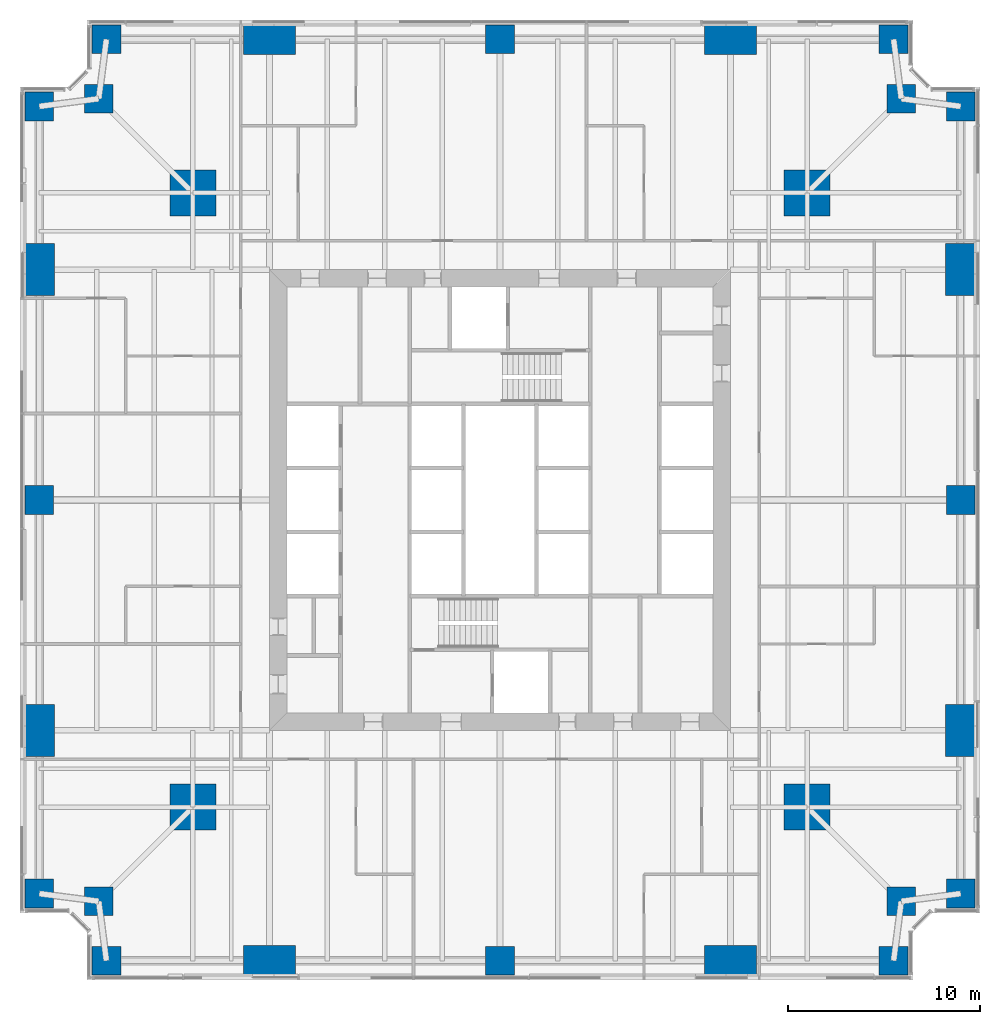
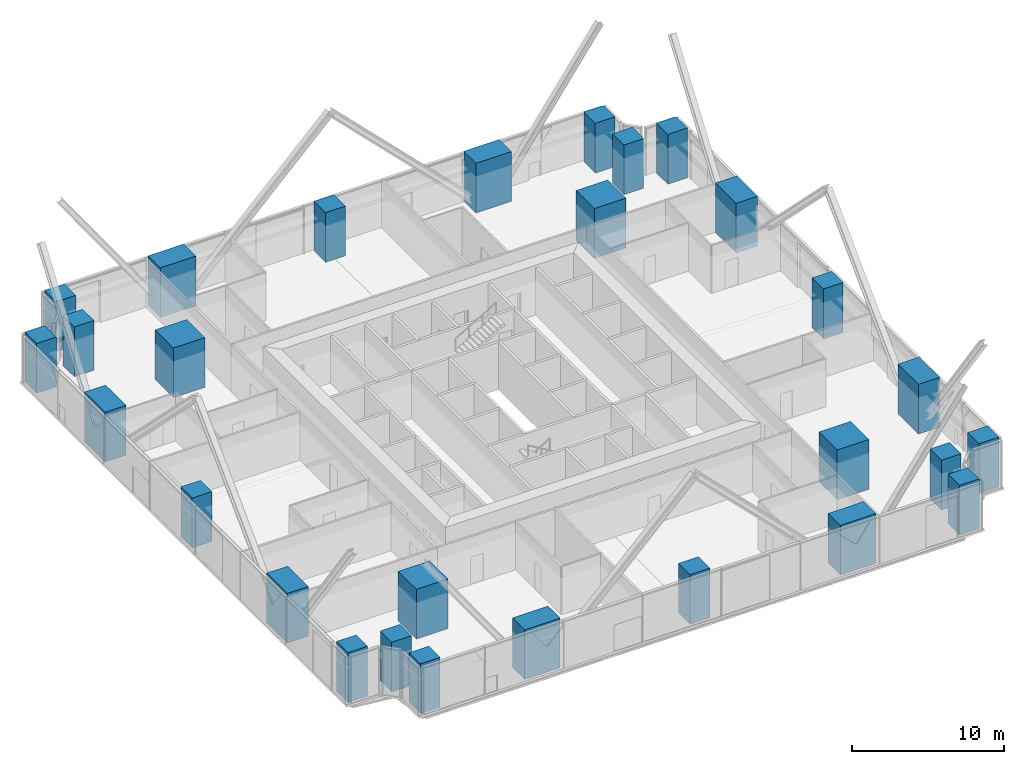
# One storey, part 1 of 13: 28 columns.
"""IFC4 building model written with IfcOpenShell, lengths in metres."""

from ifc_helpers import new_model, si_unit, direction, frame, origin, origin_2d, place, context, subcontext, project, spatial, rectangle, extrude, material, material_profile, profile_set, type_object, element, save


model = new_model("IFC4")

# Units and contexts
model_context = context("Model", 3, precision=1e-05, world=origin(), true_north=direction((0.0, 1.0)))
body_context = subcontext(model_context, "Body", "Model", "MODEL_VIEW")
ifc_project = project(units=[si_unit("LENGTHUNIT", "METRE"), si_unit("AREAUNIT", "SQUARE_METRE"), si_unit("VOLUMEUNIT", "CUBIC_METRE"), si_unit("PLANEANGLEUNIT", "RADIAN"), si_unit("MASSUNIT", "GRAM", prefix="KILO")], contexts=[model_context])

# Site, building, storey
site_placement = place(None, origin())
site = spatial("IfcSite", under=ifc_project, at=site_placement, CompositionType="ELEMENT")
building_placement = place(site_placement, origin())
building = spatial("IfcBuilding", under=site, at=building_placement, Name="Fenwick Lantern Interchange", CompositionType="ELEMENT")
storey_placement = place(building_placement, frame((0.0, 0.0, 55.0)))
storey = spatial("IfcBuildingStorey", under=building, at=storey_placement, Name="L12", CompositionType="ELEMENT", Elevation=55.0)

# Columns
ifc_material = material(Name="Concrete f'c 70 MPa", Category="concrete")
ifc_material_profile_1 = material_profile(ifc_material, rectangle(XDim=2.39990234375, YDim=2.39990234375, at=origin_2d()), Name="RC2400X2400")
ifc_profile_set_1 = profile_set([ifc_material_profile_1], Name="Concrete f'c 70 MPa")
column_type_1 = type_object("IfcColumnType", Name="MEGA COLUMN RC2400X2400", PredefinedType="COLUMN", material=ifc_profile_set_1)
for number, where, z_axis, x_axis, name in (
    (1, (9.0, 9.0, 0.0), (0.0, 0.0, 1.0), (1.0, 0.0, 0.0), "L12/M1"),
    (2, (41.0, 9.0, 0.0), (0.0, 0.0, 1.0), (1.0, 0.0, 0.0), "L12/M2"),
    (3, (41.0, 41.0, 0.0), (0.0, 0.0, 1.0), (1.0, 0.0, 0.0), "L12/M3"),
    (4, (9.0, 41.0, 0.0), (0.0, 0.0, 1.0), (1.0, 0.0, 0.0), "L12/M4"),
):
    element("IfcColumn", number, at=place(storey_placement, frame(where, z_axis=z_axis, x_axis=x_axis)), inside=storey, type_object=column_type_1, Name=name, PredefinedType="COLUMN", context=body_context, shape_type="SweptSolid", body=[
        extrude(rectangle(XDim=2.39990234375, YDim=2.39990234375, at=origin_2d()), origin(), (0.0, 0.0, 1.0), 4.0),
    ])
ifc_material_profile_2 = material_profile(ifc_material, rectangle(XDim=1.5, YDim=1.5, at=origin_2d()), Name="RC1500X1500")
ifc_profile_set_2 = profile_set([ifc_material_profile_2], Name="Concrete f'c 70 MPa")
column_type_2 = type_object("IfcColumnType", Name="PERIMETER COLUMN RC1500X1500", PredefinedType="COLUMN", material=ifc_profile_set_2)
for number, where, z_axis, x_axis, name in (
    (5, (4.5, 1.0, 0.0), (0.0, 0.0, 1.0), (1.0, 0.0, 0.0), "L12/CS1"),
    (6, (25.0, 1.0, 0.0), (0.0, 0.0, 1.0), (1.0, 0.0, 0.0), "L12/CS3"),
    (7, (45.5, 1.0, 0.0), (0.0, 0.0, 1.0), (1.0, 0.0, 0.0), "L12/CS5"),
    (8, (45.89990234375, 4.10009765625, 0.0), (0.0, 0.0, 1.0), (1.0, 0.0, 0.0), "L12/CSR"),
    (9, (49.0, 4.5, 0.0), (0.0, 0.0, 1.0), (1.0, 0.0, 0.0), "L12/CE1"),
    (10, (49.0, 25.0, 0.0), (0.0, 0.0, 1.0), (1.0, 0.0, 0.0), "L12/CE3"),
    (11, (49.0, 45.5, 0.0), (0.0, 0.0, 1.0), (1.0, 0.0, 0.0), "L12/CE5"),
    (12, (45.89990234375, 45.89990234375, 0.0), (0.0, 0.0, 1.0), (1.0, 0.0, 0.0), "L12/CER"),
    (13, (45.5, 49.0, 0.0), (0.0, 0.0, 1.0), (1.0, 0.0, 0.0), "L12/CN1"),
    (14, (25.0, 49.0, 0.0), (0.0, 0.0, 1.0), (1.0, 0.0, 0.0), "L12/CN3"),
    (15, (4.5, 49.0, 0.0), (0.0, 0.0, 1.0), (1.0, 0.0, 0.0), "L12/CN5"),
    (16, (4.10009765625, 45.89990234375, 0.0), (0.0, 0.0, 1.0), (1.0, 0.0, 0.0), "L12/CNR"),
    (17, (1.0, 45.5, 0.0), (0.0, 0.0, 1.0), (1.0, 0.0, 0.0), "L12/CW1"),
    (18, (1.0, 25.0, 0.0), (0.0, 0.0, 1.0), (1.0, 0.0, 0.0), "L12/CW3"),
    (19, (1.0, 4.5, 0.0), (0.0, 0.0, 1.0), (1.0, 0.0, 0.0), "L12/CW5"),
    (20, (4.10009765625, 4.10009765625, 0.0), (0.0, 0.0, 1.0), (1.0, 0.0, 0.0), "L12/CWR"),
):
    element("IfcColumn", number, at=place(storey_placement, frame(where, z_axis=z_axis, x_axis=x_axis)), inside=storey, type_object=column_type_2, Name=name, PredefinedType="COLUMN", context=body_context, shape_type="SweptSolid", body=[
        extrude(rectangle(XDim=1.5, YDim=1.5, at=origin_2d()), origin(), (0.0, 0.0, 1.0), 4.0),
    ])
ifc_material_profile_3 = material_profile(ifc_material, rectangle(XDim=1.60009765625, YDim=2.699951171875, at=origin_2d()), Name="RC1600X2700")
ifc_profile_set_3 = profile_set([ifc_material_profile_3], Name="Concrete f'c 70 MPa")
column_type_3 = type_object("IfcColumnType", Name="PERIMETER COLUMN RC1600X2700", PredefinedType="COLUMN", material=ifc_profile_set_3)
for number, where, z_axis, x_axis, name in (
    (21, (49.0, 13.0, 0.0), (0.0, 0.0, 1.0), (1.0, 0.0, 0.0), "L12/CE2"),
    (22, (49.0, 37.0, 0.0), (0.0, 0.0, 1.0), (1.0, 0.0, 0.0), "L12/CE4"),
    (23, (1.0, 37.0, 0.0), (0.0, 0.0, 1.0), (1.0, 0.0, 0.0), "L12/CW2"),
    (24, (1.0, 13.0, 0.0), (0.0, 0.0, 1.0), (1.0, 0.0, 0.0), "L12/CW4"),
):
    element("IfcColumn", number, at=place(storey_placement, frame(where, z_axis=z_axis, x_axis=x_axis)), inside=storey, type_object=column_type_3, Name=name, PredefinedType="COLUMN", context=body_context, shape_type="SweptSolid", body=[
        extrude(rectangle(XDim=1.60009765625, YDim=2.699951171875, at=origin_2d()), origin(), (0.0, 0.0, 1.0), 4.0),
    ])
ifc_material_profile_4 = material_profile(ifc_material, rectangle(XDim=2.699951171875, YDim=1.60009765625, at=origin_2d()), Name="RC2700X1600")
ifc_profile_set_4 = profile_set([ifc_material_profile_4], Name="Concrete f'c 70 MPa")
column_type_4 = type_object("IfcColumnType", Name="PERIMETER COLUMN RC2700X1600", PredefinedType="COLUMN", material=ifc_profile_set_4)
for number, where, z_axis, x_axis, name in (
    (25, (13.0, 1.0, 0.0), (0.0, 0.0, 1.0), (1.0, 0.0, 0.0), "L12/CS2"),
    (26, (37.0, 1.0, 0.0), (0.0, 0.0, 1.0), (1.0, 0.0, 0.0), "L12/CS4"),
    (27, (37.0, 49.0, 0.0), (0.0, 0.0, 1.0), (1.0, 0.0, 0.0), "L12/CN2"),
    (28, (13.0, 49.0, 0.0), (0.0, 0.0, 1.0), (1.0, 0.0, 0.0), "L12/CN4"),
):
    element("IfcColumn", number, at=place(storey_placement, frame(where, z_axis=z_axis, x_axis=x_axis)), inside=storey, type_object=column_type_4, Name=name, PredefinedType="COLUMN", context=body_context, shape_type="SweptSolid", body=[
        extrude(rectangle(XDim=2.699951171875, YDim=1.60009765625, at=origin_2d()), origin(), (0.0, 0.0, 1.0), 4.0),
    ])

save(model, "model.ifc")
